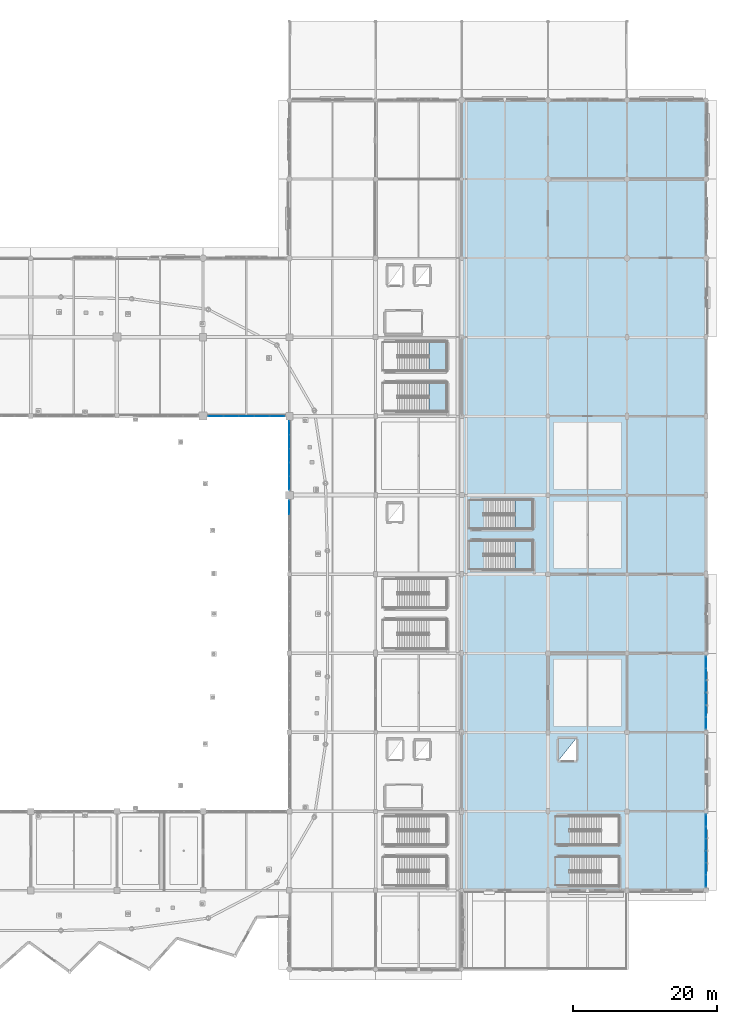
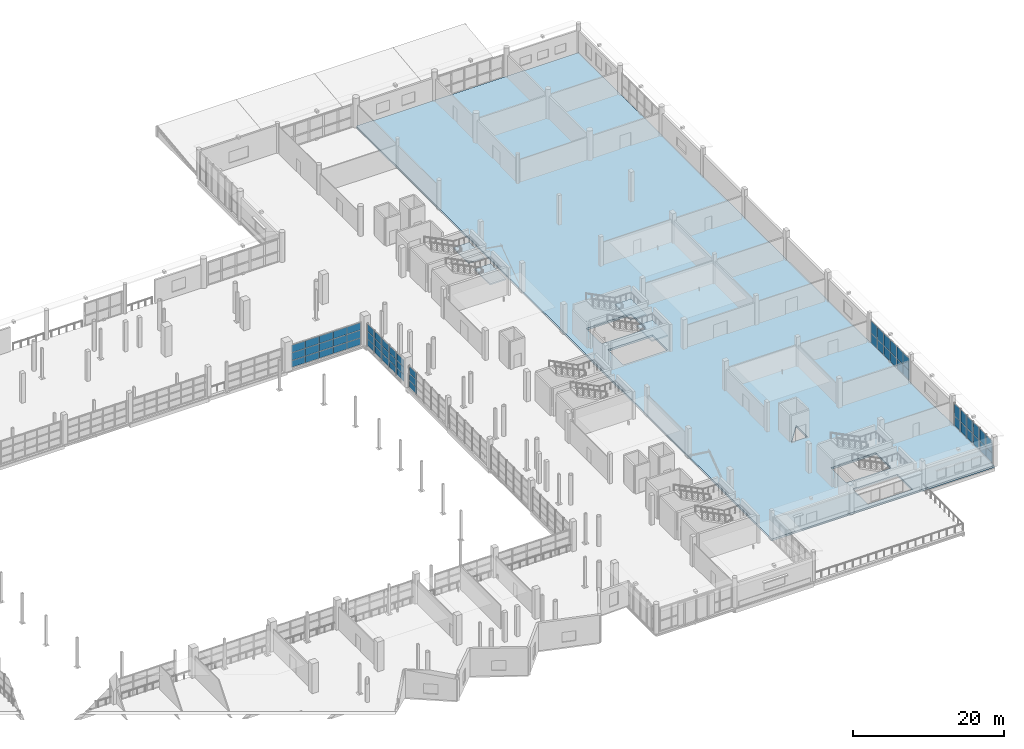
# One storey, part 82 of 143: 57 plates, 5 slabs, 9 elements without a shape of their own.
"""IFC4 building model written with IfcOpenShell, lengths in metres."""

from ifc_helpers import new_model, si_unit, direction, frame, origin, origin_2d, place, context, subcontext, project, spatial, polyline, rectangle, outline, extrude, material, layer, layer_set, type_object, element, aggregate, save


model = new_model("IFC4")

# Units and contexts
model_context = context("Model", 3, precision=1e-05, world=origin(), true_north=direction((0.0, 1.0)))
body_context = subcontext(model_context, "Body", "Model", "MODEL_VIEW")
ifc_project = project(units=[si_unit("LENGTHUNIT", "METRE"), si_unit("AREAUNIT", "SQUARE_METRE"), si_unit("VOLUMEUNIT", "CUBIC_METRE"), si_unit("PLANEANGLEUNIT", "RADIAN"), si_unit("MASSUNIT", "GRAM", prefix="KILO")], contexts=[model_context])

# Site, building, storey
site_placement = place(None, origin())
site = spatial("IfcSite", under=ifc_project, at=site_placement, CompositionType="ELEMENT")
building_placement = place(site_placement, origin())
building = spatial("IfcBuilding", under=site, at=building_placement, Name="Luwafu Chhajja Arena", CompositionType="ELEMENT")
storey_placement = place(building_placement, frame((0.0, 0.0, 5.39990234375)))
storey = spatial("IfcBuildingStorey", under=building, at=storey_placement, Name="L01", CompositionType="ELEMENT", Elevation=5.39990234375)

# Curtain wall, plates
ifc_material_1 = material(Name="Anodised bronze aluminium", Category="aluminium")
curtain_wall_type_1 = type_object("IfcCurtainWallType", Name="VIP Club Terrace Curtain Wall", PredefinedType="USERDEFINED", material=ifc_material_1)
curtain_wall_1_placement = place(storey_placement, origin())
curtain_wall_1 = element("IfcCurtainWall", 1, at=curtain_wall_1_placement, inside=storey, type_object=curtain_wall_type_1, Name="L01 Curtain Wall CWG-L01-V17_03", ObjectType="CURTAIN WALL", PredefinedType="USERDEFINED")
ifc_material_2 = material(Name="Solar-control laminated glass", Category="glass")
ifc_layer_1 = layer(ifc_material_2, 0.035888671875, Name="Solar-control laminated glass")
ifc_layer_set_1 = layer_set([ifc_layer_1], Name="Solar-control laminated glass")
plate_type_1 = type_object("IfcPlateType", Name="Acoustic Broadcast Double Glazed CW Panel 36", PredefinedType="CURTAIN_PANEL", material=ifc_layer_set_1)
plate_1_placement = place(storey_placement, frame((198.0, 34.28076171875, 0.09521484375), z_axis=(0.0, 0.0, 1.0), x_axis=(0.0, 1.0, 0.0)))
plate_1 = element("IfcPlate", 2, at=plate_1_placement, type_object=plate_type_1, Name="CW-10 panel 1.1", PredefinedType="CURTAIN_PANEL", context=body_context, shape_type="SweptSolid", body=[
    extrude(rectangle(XDim=1.6015625, YDim=0.035888671875, at=origin_2d()), origin(), (0.0, 0.0, 1.0), 1.539794921875),
])
plate_2_placement = place(storey_placement, frame((198.0, 34.28076171875, 1.69970703125), z_axis=(0.0, 0.0, 1.0), x_axis=(0.0, 1.0, 0.0)))
plate_2 = element("IfcPlate", 3, at=plate_2_placement, type_object=plate_type_1, Name="CW-10 panel 1.2", PredefinedType="CURTAIN_PANEL", context=body_context, shape_type="SweptSolid", body=[
    extrude(rectangle(XDim=1.6015625, YDim=0.035888671875, at=origin_2d()), origin(), (0.0, 0.0, 1.0), 1.940185546875),
])
plate_3_placement = place(storey_placement, frame((198.0, 35.9638671875, 0.09521484375), z_axis=(0.0, 0.0, 1.0), x_axis=(0.0, 1.0, 0.0)))
plate_3 = element("IfcPlate", 4, at=plate_3_placement, type_object=plate_type_1, Name="CW-10 panel 2.1", PredefinedType="CURTAIN_PANEL", context=body_context, shape_type="SweptSolid", body=[
    extrude(rectangle(XDim=1.63427734375, YDim=0.035888671875, at=origin_2d()), origin(), (0.0, 0.0, 1.0), 1.539794921875),
])
plate_4_placement = place(storey_placement, frame((198.0, 35.9638671875, 1.69970703125), z_axis=(0.0, 0.0, 1.0), x_axis=(0.0, 1.0, 0.0)))
plate_4 = element("IfcPlate", 5, at=plate_4_placement, type_object=plate_type_1, Name="CW-10 panel 2.2", PredefinedType="CURTAIN_PANEL", context=body_context, shape_type="SweptSolid", body=[
    extrude(rectangle(XDim=1.63427734375, YDim=0.035888671875, at=origin_2d()), origin(), (0.0, 0.0, 1.0), 1.940185546875),
])
plate_5_placement = place(storey_placement, frame((198.0, 37.662841796875, 0.09521484375), z_axis=(0.0, 0.0, 1.0), x_axis=(0.0, 1.0, 0.0)))
plate_5 = element("IfcPlate", 6, at=plate_5_placement, type_object=plate_type_1, Name="CW-10 panel 3.1", PredefinedType="CURTAIN_PANEL", context=body_context, shape_type="SweptSolid", body=[
    extrude(rectangle(XDim=1.63427734375, YDim=0.035888671875, at=origin_2d()), origin(), (0.0, 0.0, 1.0), 1.539794921875),
])
plate_6_placement = place(storey_placement, frame((198.0, 37.662841796875, 1.69970703125), z_axis=(0.0, 0.0, 1.0), x_axis=(0.0, 1.0, 0.0)))
plate_6 = element("IfcPlate", 7, at=plate_6_placement, type_object=plate_type_1, Name="CW-10 panel 3.2", PredefinedType="CURTAIN_PANEL", context=body_context, shape_type="SweptSolid", body=[
    extrude(rectangle(XDim=1.63427734375, YDim=0.035888671875, at=origin_2d()), origin(), (0.0, 0.0, 1.0), 1.940185546875),
])
plate_7_placement = place(storey_placement, frame((198.0, 39.362060546875, 0.09521484375), z_axis=(0.0, 0.0, 1.0), x_axis=(0.0, 1.0, 0.0)))
plate_7 = element("IfcPlate", 8, at=plate_7_placement, type_object=plate_type_1, Name="CW-10 panel 4.1", PredefinedType="CURTAIN_PANEL", context=body_context, shape_type="SweptSolid", body=[
    extrude(rectangle(XDim=1.63427734375, YDim=0.035888671875, at=origin_2d()), origin(), (0.0, 0.0, 1.0), 1.539794921875),
])
plate_8_placement = place(storey_placement, frame((198.0, 39.362060546875, 1.69970703125), z_axis=(0.0, 0.0, 1.0), x_axis=(0.0, 1.0, 0.0)))
plate_8 = element("IfcPlate", 9, at=plate_8_placement, type_object=plate_type_1, Name="CW-10 panel 4.2", PredefinedType="CURTAIN_PANEL", context=body_context, shape_type="SweptSolid", body=[
    extrude(rectangle(XDim=1.63427734375, YDim=0.035888671875, at=origin_2d()), origin(), (0.0, 0.0, 1.0), 1.940185546875),
])
plate_9_placement = place(storey_placement, frame((198.0, 41.061279296875, 0.09521484375), z_axis=(0.0, 0.0, 1.0), x_axis=(0.0, 1.0, 0.0)))
plate_9 = element("IfcPlate", 10, at=plate_9_placement, type_object=plate_type_1, Name="CW-10 panel 5.1", PredefinedType="CURTAIN_PANEL", context=body_context, shape_type="SweptSolid", body=[
    extrude(rectangle(XDim=1.63427734375, YDim=0.035888671875, at=origin_2d()), origin(), (0.0, 0.0, 1.0), 1.539794921875),
])
plate_10_placement = place(storey_placement, frame((198.0, 41.061279296875, 1.69970703125), z_axis=(0.0, 0.0, 1.0), x_axis=(0.0, 1.0, 0.0)))
plate_10 = element("IfcPlate", 11, at=plate_10_placement, type_object=plate_type_1, Name="CW-10 panel 5.2", PredefinedType="CURTAIN_PANEL", context=body_context, shape_type="SweptSolid", body=[
    extrude(rectangle(XDim=1.63427734375, YDim=0.035888671875, at=origin_2d()), origin(), (0.0, 0.0, 1.0), 1.940185546875),
])
plate_11_placement = place(storey_placement, frame((198.0, 42.744140625, 0.09521484375), z_axis=(0.0, 0.0, 1.0), x_axis=(0.0, 1.0, 0.0)))
plate_11 = element("IfcPlate", 12, at=plate_11_placement, type_object=plate_type_1, Name="CW-10 panel 6.1", PredefinedType="CURTAIN_PANEL", context=body_context, shape_type="SweptSolid", body=[
    extrude(rectangle(XDim=1.6015625, YDim=0.035888671875, at=origin_2d()), origin(), (0.0, 0.0, 1.0), 1.539794921875),
])
plate_12_placement = place(storey_placement, frame((198.0, 42.744140625, 1.69970703125), z_axis=(0.0, 0.0, 1.0), x_axis=(0.0, 1.0, 0.0)))
plate_12 = element("IfcPlate", 13, at=plate_12_placement, type_object=plate_type_1, Name="CW-10 panel 6.2", PredefinedType="CURTAIN_PANEL", context=body_context, shape_type="SweptSolid", body=[
    extrude(rectangle(XDim=1.6015625, YDim=0.035888671875, at=origin_2d()), origin(), (0.0, 0.0, 1.0), 1.940185546875),
])
aggregate(curtain_wall_1, [plate_1, plate_2, plate_3, plate_4, plate_5, plate_6, plate_7, plate_8, plate_9, plate_10, plate_11, plate_12])

# Slab
ifc_material_3 = material(Name="Concrete C35/45", Category="concrete")
ifc_layer_2 = layer(ifc_material_3, 0.320068359375, Name="Concrete C35/45")
ifc_layer_set_2 = layer_set([ifc_layer_2], Name="Concrete C35/45")
slab_type_1 = type_object("IfcSlabType", Name="Club Concourse Slab 320", PredefinedType="FLOOR", material=ifc_layer_set_2)
slab_1_placement = place(storey_placement, frame((0.0, 0.0, -0.31982421875)))
element("IfcSlab", 14, at=slab_1_placement, inside=storey, type_object=slab_type_1, Name="L01 Structural Floor Slab 2", PredefinedType="FLOOR", context=body_context, shape_type="SweptSolid", body=[
    extrude(outline(polyline([(198.0, 121.0), (198.0, 11.0), (164.050048828125, 11.0), (164.050048828125, 121.0), (198.0, 121.0)]), holes=[polyline([(185.89990234375, 21.35009765625), (179.044921875, 21.35009765625), (179.044921875, 17.35009765625), (185.89990234375, 17.35009765625), (185.89990234375, 21.35009765625)]), polyline([(179.044921875, 15.64990234375), (179.044921875, 11.64990234375), (185.89990234375, 11.64990234375), (185.89990234375, 15.64990234375), (179.044921875, 15.64990234375)]), polyline([(179.919921875, 32.1201171875), (177.47998046875, 29.080078125), (179.919921875, 29.080078125), (179.919921875, 32.1201171875)]), polyline([(173.89990234375, 65.35009765625), (167.06494140625, 65.35009765625), (167.06494140625, 61.31005859375), (173.89990234375, 61.31005859375), (173.89990234375, 65.35009765625)]), polyline([(167.06494140625, 59.68994140625), (167.06494140625, 55.64990234375), (173.89990234375, 55.64990234375), (173.89990234375, 59.68994140625), (167.06494140625, 59.68994140625)])]), origin(), (0.0, 0.0, 1.0), 0.31982421875),
])

# Stair, slab
stair_type = type_object("IfcStairType", Name="Quadrant Protected Dog-Leg Stair 1920", PredefinedType="HALF_TURN_STAIR", material=ifc_material_3)
stair_1_placement = place(storey_placement, origin())
stair_1 = element("IfcStair", 15, at=stair_1_placement, inside=storey, type_object=stair_type, Name="L01 Protected Escape Stair ST-07", PredefinedType="HALF_TURN_STAIR")
ifc_layer_3 = layer(ifc_material_3, 0.199951171875, Name="Concrete C35/45")
ifc_layer_set_3 = layer_set([ifc_layer_3], Name="Concrete C35/45")
slab_type_2 = type_object("IfcSlabType", Name="Escape Stair Landing Slab 200", PredefinedType="LANDING", material=ifc_layer_set_3)
slab_2_placement = place(storey_placement, frame((0.0, 0.0, 2.2001953125)))
slab_2 = element("IfcSlab", 16, at=slab_2_placement, type_object=slab_type_2, Name="ST-07 landing 1", PredefinedType="LANDING", context=body_context, shape_type="SweptSolid", body=[
    extrude(outline(polyline([(159.43994140625, 77.64990234375), (161.89990234375, 77.64990234375), (161.89990234375, 81.68994140625), (159.43994140625, 81.68994140625), (159.43994140625, 77.64990234375)])), origin(), (0.0, 0.0, 1.0), 0.199951171875),
])
aggregate(stair_1, [slab_2])

stair_2_placement = place(storey_placement, origin())
stair_2 = element("IfcStair", 17, at=stair_2_placement, inside=storey, type_object=stair_type, Name="L01 Protected Escape Stair ST-08", PredefinedType="HALF_TURN_STAIR")
slab_3_placement = place(storey_placement, frame((0.0, 0.0, 2.2001953125)))
slab_3 = element("IfcSlab", 18, at=slab_3_placement, type_object=slab_type_2, Name="ST-08 landing 1", PredefinedType="LANDING", context=body_context, shape_type="SweptSolid", body=[
    extrude(outline(polyline([(159.43994140625, 83.31005859375), (161.89990234375, 83.31005859375), (161.89990234375, 87.35009765625), (159.43994140625, 87.35009765625), (159.43994140625, 83.31005859375)])), origin(), (0.0, 0.0, 1.0), 0.199951171875),
])
aggregate(stair_2, [slab_3])

stair_3_placement = place(storey_placement, origin())
stair_3 = element("IfcStair", 19, at=stair_3_placement, inside=storey, type_object=stair_type, Name="L01 Protected Escape Stair ST-19", PredefinedType="HALF_TURN_STAIR")
slab_4_placement = place(storey_placement, frame((0.0, 0.0, 2.2001953125)))
slab_4 = element("IfcSlab", 20, at=slab_4_placement, type_object=slab_type_2, Name="ST-19 landing 1", PredefinedType="LANDING", context=body_context, shape_type="SweptSolid", body=[
    extrude(outline(polyline([(171.43994140625, 55.64990234375), (173.89990234375, 55.64990234375), (173.89990234375, 59.68994140625), (171.43994140625, 59.68994140625), (171.43994140625, 55.64990234375)])), origin(), (0.0, 0.0, 1.0), 0.199951171875),
])
aggregate(stair_3, [slab_4])

stair_4_placement = place(storey_placement, origin())
stair_4 = element("IfcStair", 21, at=stair_4_placement, inside=storey, type_object=stair_type, Name="L01 Protected Escape Stair ST-20", PredefinedType="HALF_TURN_STAIR")
slab_5_placement = place(storey_placement, frame((0.0, 0.0, 2.2001953125)))
slab_5 = element("IfcSlab", 22, at=slab_5_placement, type_object=slab_type_2, Name="ST-20 landing 1", PredefinedType="LANDING", context=body_context, shape_type="SweptSolid", body=[
    extrude(outline(polyline([(171.43994140625, 61.31005859375), (173.89990234375, 61.31005859375), (173.89990234375, 65.35009765625), (171.43994140625, 65.35009765625), (171.43994140625, 61.31005859375)])), origin(), (0.0, 0.0, 1.0), 0.199951171875),
])
aggregate(stair_4, [slab_5])

# Curtain wall, plates
curtain_wall_type_2 = type_object("IfcCurtainWallType", Name="Charbagh Cloister Curtain Wall", PredefinedType="USERDEFINED", material=ifc_material_1)
curtain_wall_2_placement = place(storey_placement, origin())
curtain_wall_2 = element("IfcCurtainWall", 23, at=curtain_wall_2_placement, inside=storey, type_object=curtain_wall_type_2, Name="L01 Curtain Wall CWG-L01-V17_01", ObjectType="CURTAIN WALL", PredefinedType="USERDEFINED")
ifc_layer_4 = layer(ifc_material_2, 0.028076171875, Name="Solar-control laminated glass")
ifc_layer_set_4 = layer_set([ifc_layer_4], Name="Solar-control laminated glass")
plate_type_2 = type_object("IfcPlateType", Name="Solar Control Double Glazed CW Panel 28", PredefinedType="CURTAIN_PANEL", material=ifc_layer_set_4)
plate_13_placement = place(storey_placement, frame((198.0, 12.3212890625, 0.090087890625), z_axis=(0.0, 0.0, 1.0), x_axis=(0.0, 1.0, 0.0)))
plate_13 = element("IfcPlate", 24, at=plate_13_placement, type_object=plate_type_2, Name="CW-06 panel 1.1", PredefinedType="CURTAIN_PANEL", context=body_context, shape_type="SweptSolid", body=[
    extrude(rectangle(XDim=1.592529296875, YDim=0.028076171875, at=origin_2d()), origin(), (0.0, 0.0, 1.0), 1.54736328125),
])
plate_14_placement = place(storey_placement, frame((198.0, 12.3212890625, 1.697265625), z_axis=(0.0, 0.0, 1.0), x_axis=(0.0, 1.0, 0.0)))
plate_14 = element("IfcPlate", 25, at=plate_14_placement, type_object=plate_type_2, Name="CW-06 panel 1.2", PredefinedType="CURTAIN_PANEL", context=body_context, shape_type="SweptSolid", body=[
    extrude(rectangle(XDim=1.592529296875, YDim=0.028076171875, at=origin_2d()), origin(), (0.0, 0.0, 1.0), 1.94775390625),
])
plate_15_placement = place(storey_placement, frame((198.0, 13.98876953125, 0.090087890625), z_axis=(0.0, 0.0, 1.0), x_axis=(0.0, 1.0, 0.0)))
plate_15 = element("IfcPlate", 26, at=plate_15_placement, type_object=plate_type_2, Name="CW-06 panel 2.1", PredefinedType="CURTAIN_PANEL", context=body_context, shape_type="SweptSolid", body=[
    extrude(rectangle(XDim=1.62255859375, YDim=0.028076171875, at=origin_2d()), origin(), (0.0, 0.0, 1.0), 1.54736328125),
])
plate_16_placement = place(storey_placement, frame((198.0, 13.98876953125, 1.697265625), z_axis=(0.0, 0.0, 1.0), x_axis=(0.0, 1.0, 0.0)))
plate_16 = element("IfcPlate", 27, at=plate_16_placement, type_object=plate_type_2, Name="CW-06 panel 2.2", PredefinedType="CURTAIN_PANEL", context=body_context, shape_type="SweptSolid", body=[
    extrude(rectangle(XDim=1.62255859375, YDim=0.028076171875, at=origin_2d()), origin(), (0.0, 0.0, 1.0), 1.94775390625),
])
plate_17_placement = place(storey_placement, frame((198.0, 15.671142578125, 0.090087890625), z_axis=(0.0, 0.0, 1.0), x_axis=(0.0, 1.0, 0.0)))
plate_17 = element("IfcPlate", 28, at=plate_17_placement, type_object=plate_type_2, Name="CW-06 panel 3.1", PredefinedType="CURTAIN_PANEL", context=body_context, shape_type="SweptSolid", body=[
    extrude(rectangle(XDim=1.62255859375, YDim=0.028076171875, at=origin_2d()), origin(), (0.0, 0.0, 1.0), 1.54736328125),
])
plate_18_placement = place(storey_placement, frame((198.0, 15.671142578125, 1.697265625), z_axis=(0.0, 0.0, 1.0), x_axis=(0.0, 1.0, 0.0)))
plate_18 = element("IfcPlate", 29, at=plate_18_placement, type_object=plate_type_2, Name="CW-06 panel 3.2", PredefinedType="CURTAIN_PANEL", context=body_context, shape_type="SweptSolid", body=[
    extrude(rectangle(XDim=1.62255859375, YDim=0.028076171875, at=origin_2d()), origin(), (0.0, 0.0, 1.0), 1.94775390625),
])
plate_19_placement = place(storey_placement, frame((198.0, 17.353759765625, 0.090087890625), z_axis=(0.0, 0.0, 1.0), x_axis=(0.0, 1.0, 0.0)))
plate_19 = element("IfcPlate", 30, at=plate_19_placement, type_object=plate_type_2, Name="CW-06 panel 4.1", PredefinedType="CURTAIN_PANEL", context=body_context, shape_type="SweptSolid", body=[
    extrude(rectangle(XDim=1.62255859375, YDim=0.028076171875, at=origin_2d()), origin(), (0.0, 0.0, 1.0), 1.54736328125),
])
plate_20_placement = place(storey_placement, frame((198.0, 17.353759765625, 1.697265625), z_axis=(0.0, 0.0, 1.0), x_axis=(0.0, 1.0, 0.0)))
plate_20 = element("IfcPlate", 31, at=plate_20_placement, type_object=plate_type_2, Name="CW-06 panel 4.2", PredefinedType="CURTAIN_PANEL", context=body_context, shape_type="SweptSolid", body=[
    extrude(rectangle(XDim=1.62255859375, YDim=0.028076171875, at=origin_2d()), origin(), (0.0, 0.0, 1.0), 1.94775390625),
])
plate_21_placement = place(storey_placement, frame((198.0, 19.0361328125, 0.090087890625), z_axis=(0.0, 0.0, 1.0), x_axis=(0.0, 1.0, 0.0)))
plate_21 = element("IfcPlate", 32, at=plate_21_placement, type_object=plate_type_2, Name="CW-06 panel 5.1", PredefinedType="CURTAIN_PANEL", context=body_context, shape_type="SweptSolid", body=[
    extrude(rectangle(XDim=1.62255859375, YDim=0.028076171875, at=origin_2d()), origin(), (0.0, 0.0, 1.0), 1.54736328125),
])
plate_22_placement = place(storey_placement, frame((198.0, 19.0361328125, 1.697265625), z_axis=(0.0, 0.0, 1.0), x_axis=(0.0, 1.0, 0.0)))
plate_22 = element("IfcPlate", 33, at=plate_22_placement, type_object=plate_type_2, Name="CW-06 panel 5.2", PredefinedType="CURTAIN_PANEL", context=body_context, shape_type="SweptSolid", body=[
    extrude(rectangle(XDim=1.62255859375, YDim=0.028076171875, at=origin_2d()), origin(), (0.0, 0.0, 1.0), 1.94775390625),
])
plate_23_placement = place(storey_placement, frame((198.0, 20.703857421875, 0.090087890625), z_axis=(0.0, 0.0, 1.0), x_axis=(0.0, 1.0, 0.0)))
plate_23 = element("IfcPlate", 34, at=plate_23_placement, type_object=plate_type_2, Name="CW-06 panel 6.1", PredefinedType="CURTAIN_PANEL", context=body_context, shape_type="SweptSolid", body=[
    extrude(rectangle(XDim=1.592529296875, YDim=0.028076171875, at=origin_2d()), origin(), (0.0, 0.0, 1.0), 1.54736328125),
])
plate_24_placement = place(storey_placement, frame((198.0, 20.703857421875, 1.697265625), z_axis=(0.0, 0.0, 1.0), x_axis=(0.0, 1.0, 0.0)))
plate_24 = element("IfcPlate", 35, at=plate_24_placement, type_object=plate_type_2, Name="CW-06 panel 6.2", PredefinedType="CURTAIN_PANEL", context=body_context, shape_type="SweptSolid", body=[
    extrude(rectangle(XDim=1.592529296875, YDim=0.028076171875, at=origin_2d()), origin(), (0.0, 0.0, 1.0), 1.94775390625),
])
aggregate(curtain_wall_2, [plate_13, plate_14, plate_15, plate_16, plate_17, plate_18, plate_19, plate_20, plate_21, plate_22, plate_23, plate_24])

curtain_wall_type_3 = type_object("IfcCurtainWallType", Name="Bowl Concourse Chord Curtain Wall", PredefinedType="USERDEFINED", material=ifc_material_1)
curtain_wall_3_placement = place(storey_placement, origin())
curtain_wall_3 = element("IfcCurtainWall", 36, at=curtain_wall_3_placement, inside=storey, type_object=curtain_wall_type_3, Name="L01 Bowl Viewing Curtain Wall CWR-L01-14", ObjectType="CURTAIN WALL", PredefinedType="USERDEFINED")
plate_25_placement = place(storey_placement, frame((129.77197265625, 77.0, 0.06005859375), z_axis=(0.0, 0.0, 1.0), x_axis=(1.0, 0.0, 0.0)))
plate_25 = element("IfcPlate", 37, at=plate_25_placement, type_object=plate_type_2, Name="CW-01 panel 1.1", PredefinedType="CURTAIN_PANEL", context=body_context, shape_type="SweptSolid", body=[
    extrude(rectangle(XDim=2.0439453125, YDim=0.028076171875, at=origin_2d()), origin(), (0.0, 0.0, 1.0), 1.06005859375),
])
plate_26_placement = place(storey_placement, frame((129.77197265625, 77.0, 1.18017578125), z_axis=(0.0, 0.0, 1.0), x_axis=(1.0, 0.0, 0.0)))
plate_26 = element("IfcPlate", 38, at=plate_26_placement, type_object=plate_type_2, Name="CW-01 panel 1.2", PredefinedType="CURTAIN_PANEL", context=body_context, shape_type="SweptSolid", body=[
    extrude(rectangle(XDim=2.0439453125, YDim=0.028076171875, at=origin_2d()), origin(), (0.0, 0.0, 1.0), 1.2099609375),
])
plate_27_placement = place(storey_placement, frame((129.77197265625, 77.0, 2.4501953125), z_axis=(0.0, 0.0, 1.0), x_axis=(1.0, 0.0, 0.0)))
plate_27 = element("IfcPlate", 39, at=plate_27_placement, type_object=plate_type_2, Name="CW-01 panel 1.3", PredefinedType="CURTAIN_PANEL", context=body_context, shape_type="SweptSolid", body=[
    extrude(rectangle(XDim=2.0439453125, YDim=0.028076171875, at=origin_2d()), origin(), (0.0, 0.0, 1.0), 1.179931640625),
])
plate_28_placement = place(storey_placement, frame((131.89111328125, 77.0, 0.06005859375), z_axis=(0.0, 0.0, 1.0), x_axis=(1.0, 0.0, 0.0)))
plate_28 = element("IfcPlate", 40, at=plate_28_placement, type_object=plate_type_2, Name="CW-01 panel 2.1", PredefinedType="CURTAIN_PANEL", context=body_context, shape_type="SweptSolid", body=[
    extrude(rectangle(XDim=2.073974609375, YDim=0.028076171875, at=origin_2d()), origin(), (0.0, 0.0, 1.0), 1.06005859375),
])
plate_29_placement = place(storey_placement, frame((131.89111328125, 77.0, 1.18017578125), z_axis=(0.0, 0.0, 1.0), x_axis=(1.0, 0.0, 0.0)))
plate_29 = element("IfcPlate", 41, at=plate_29_placement, type_object=plate_type_2, Name="CW-01 panel 2.2", PredefinedType="CURTAIN_PANEL", context=body_context, shape_type="SweptSolid", body=[
    extrude(rectangle(XDim=2.073974609375, YDim=0.028076171875, at=origin_2d()), origin(), (0.0, 0.0, 1.0), 1.2099609375),
])
plate_30_placement = place(storey_placement, frame((131.89111328125, 77.0, 2.4501953125), z_axis=(0.0, 0.0, 1.0), x_axis=(1.0, 0.0, 0.0)))
plate_30 = element("IfcPlate", 42, at=plate_30_placement, type_object=plate_type_2, Name="CW-01 panel 2.3", PredefinedType="CURTAIN_PANEL", context=body_context, shape_type="SweptSolid", body=[
    extrude(rectangle(XDim=2.073974609375, YDim=0.028076171875, at=origin_2d()), origin(), (0.0, 0.0, 1.0), 1.179931640625),
])
plate_31_placement = place(storey_placement, frame((134.02490234375, 77.0, 0.06005859375), z_axis=(0.0, 0.0, 1.0), x_axis=(1.0, 0.0, 0.0)))
plate_31 = element("IfcPlate", 43, at=plate_31_placement, type_object=plate_type_2, Name="CW-01 panel 3.1", PredefinedType="CURTAIN_PANEL", context=body_context, shape_type="SweptSolid", body=[
    extrude(rectangle(XDim=2.073974609375, YDim=0.028076171875, at=origin_2d()), origin(), (0.0, 0.0, 1.0), 1.06005859375),
])
plate_32_placement = place(storey_placement, frame((134.02490234375, 77.0, 1.18017578125), z_axis=(0.0, 0.0, 1.0), x_axis=(1.0, 0.0, 0.0)))
plate_32 = element("IfcPlate", 44, at=plate_32_placement, type_object=plate_type_2, Name="CW-01 panel 3.2", PredefinedType="CURTAIN_PANEL", context=body_context, shape_type="SweptSolid", body=[
    extrude(rectangle(XDim=2.073974609375, YDim=0.028076171875, at=origin_2d()), origin(), (0.0, 0.0, 1.0), 1.2099609375),
])
plate_33_placement = place(storey_placement, frame((134.02490234375, 77.0, 2.4501953125), z_axis=(0.0, 0.0, 1.0), x_axis=(1.0, 0.0, 0.0)))
plate_33 = element("IfcPlate", 45, at=plate_33_placement, type_object=plate_type_2, Name="CW-01 panel 3.3", PredefinedType="CURTAIN_PANEL", context=body_context, shape_type="SweptSolid", body=[
    extrude(rectangle(XDim=2.073974609375, YDim=0.028076171875, at=origin_2d()), origin(), (0.0, 0.0, 1.0), 1.179931640625),
])
plate_34_placement = place(storey_placement, frame((136.158935546875, 77.0, 0.06005859375), z_axis=(0.0, 0.0, 1.0), x_axis=(1.0, 0.0, 0.0)))
plate_34 = element("IfcPlate", 46, at=plate_34_placement, type_object=plate_type_2, Name="CW-01 panel 4.1", PredefinedType="CURTAIN_PANEL", context=body_context, shape_type="SweptSolid", body=[
    extrude(rectangle(XDim=2.073974609375, YDim=0.028076171875, at=origin_2d()), origin(), (0.0, 0.0, 1.0), 1.06005859375),
])
plate_35_placement = place(storey_placement, frame((136.158935546875, 77.0, 1.18017578125), z_axis=(0.0, 0.0, 1.0), x_axis=(1.0, 0.0, 0.0)))
plate_35 = element("IfcPlate", 47, at=plate_35_placement, type_object=plate_type_2, Name="CW-01 panel 4.2", PredefinedType="CURTAIN_PANEL", context=body_context, shape_type="SweptSolid", body=[
    extrude(rectangle(XDim=2.073974609375, YDim=0.028076171875, at=origin_2d()), origin(), (0.0, 0.0, 1.0), 1.2099609375),
])
plate_36_placement = place(storey_placement, frame((136.158935546875, 77.0, 2.4501953125), z_axis=(0.0, 0.0, 1.0), x_axis=(1.0, 0.0, 0.0)))
plate_36 = element("IfcPlate", 48, at=plate_36_placement, type_object=plate_type_2, Name="CW-01 panel 4.3", PredefinedType="CURTAIN_PANEL", context=body_context, shape_type="SweptSolid", body=[
    extrude(rectangle(XDim=2.073974609375, YDim=0.028076171875, at=origin_2d()), origin(), (0.0, 0.0, 1.0), 1.179931640625),
])
plate_37_placement = place(storey_placement, frame((138.278076171875, 77.0, 0.06005859375), z_axis=(0.0, 0.0, 1.0), x_axis=(1.0, 0.0, 0.0)))
plate_37 = element("IfcPlate", 49, at=plate_37_placement, type_object=plate_type_2, Name="CW-01 panel 5.1", PredefinedType="CURTAIN_PANEL", context=body_context, shape_type="SweptSolid", body=[
    extrude(rectangle(XDim=2.0439453125, YDim=0.028076171875, at=origin_2d()), origin(), (0.0, 0.0, 1.0), 1.06005859375),
])
plate_38_placement = place(storey_placement, frame((138.278076171875, 77.0, 1.18017578125), z_axis=(0.0, 0.0, 1.0), x_axis=(1.0, 0.0, 0.0)))
plate_38 = element("IfcPlate", 50, at=plate_38_placement, type_object=plate_type_2, Name="CW-01 panel 5.2", PredefinedType="CURTAIN_PANEL", context=body_context, shape_type="SweptSolid", body=[
    extrude(rectangle(XDim=2.0439453125, YDim=0.028076171875, at=origin_2d()), origin(), (0.0, 0.0, 1.0), 1.2099609375),
])
plate_39_placement = place(storey_placement, frame((138.278076171875, 77.0, 2.4501953125), z_axis=(0.0, 0.0, 1.0), x_axis=(1.0, 0.0, 0.0)))
plate_39 = element("IfcPlate", 51, at=plate_39_placement, type_object=plate_type_2, Name="CW-01 panel 5.3", PredefinedType="CURTAIN_PANEL", context=body_context, shape_type="SweptSolid", body=[
    extrude(rectangle(XDim=2.0439453125, YDim=0.028076171875, at=origin_2d()), origin(), (0.0, 0.0, 1.0), 1.179931640625),
])
aggregate(curtain_wall_3, [plate_25, plate_26, plate_27, plate_28, plate_29, plate_30, plate_31, plate_32, plate_33, plate_34, plate_35, plate_36, plate_37, plate_38, plate_39])

curtain_wall_4_placement = place(storey_placement, origin())
curtain_wall_4 = element("IfcCurtainWall", 52, at=curtain_wall_4_placement, inside=storey, type_object=curtain_wall_type_3, Name="L01 Bowl Viewing Curtain Wall CWR-L01-23", ObjectType="CURTAIN WALL", PredefinedType="USERDEFINED")
plate_40_placement = place(storey_placement, frame((140.0, 64.305419921875, 0.06005859375), z_axis=(0.0, 0.0, 1.0), x_axis=(0.0, 1.0, 0.0)))
plate_40 = element("IfcPlate", 53, at=plate_40_placement, type_object=plate_type_2, Name="CW-01 panel 5.1", PredefinedType="CURTAIN_PANEL", context=body_context, shape_type="SweptSolid", body=[
    extrude(rectangle(XDim=1.888916015625, YDim=0.028076171875, at=origin_2d()), origin(), (0.0, 0.0, 1.0), 1.06005859375),
])
plate_41_placement = place(storey_placement, frame((140.0, 64.305419921875, 1.18017578125), z_axis=(0.0, 0.0, 1.0), x_axis=(0.0, 1.0, 0.0)))
plate_41 = element("IfcPlate", 54, at=plate_41_placement, type_object=plate_type_2, Name="CW-01 panel 5.2", PredefinedType="CURTAIN_PANEL", context=body_context, shape_type="SweptSolid", body=[
    extrude(rectangle(XDim=1.888916015625, YDim=0.028076171875, at=origin_2d()), origin(), (0.0, 0.0, 1.0), 1.110107421875),
])
plate_42_placement = place(storey_placement, frame((140.0, 64.305419921875, 2.35009765625), z_axis=(0.0, 0.0, 1.0), x_axis=(0.0, 1.0, 0.0)))
plate_42 = element("IfcPlate", 55, at=plate_42_placement, type_object=plate_type_2, Name="CW-01 panel 5.3", PredefinedType="CURTAIN_PANEL", context=body_context, shape_type="SweptSolid", body=[
    extrude(rectangle(XDim=1.888916015625, YDim=0.028076171875, at=origin_2d()), origin(), (0.0, 0.0, 1.0), 1.080078125),
])
aggregate(curtain_wall_4, [plate_40, plate_41, plate_42])

curtain_wall_5_placement = place(storey_placement, origin())
curtain_wall_5 = element("IfcCurtainWall", 56, at=curtain_wall_5_placement, inside=storey, type_object=curtain_wall_type_3, Name="L01 Bowl Viewing Curtain Wall CWR-L01-24", ObjectType="CURTAIN WALL", PredefinedType="USERDEFINED")
plate_43_placement = place(storey_placement, frame((140.0, 67.672119140625, 0.06005859375), z_axis=(0.0, 0.0, 1.0), x_axis=(0.0, 1.0, 0.0)))
plate_43 = element("IfcPlate", 57, at=plate_43_placement, type_object=plate_type_2, Name="CW-01 panel 1.1", PredefinedType="CURTAIN_PANEL", context=body_context, shape_type="SweptSolid", body=[
    extrude(rectangle(XDim=1.843994140625, YDim=0.028076171875, at=origin_2d()), origin(), (0.0, 0.0, 1.0), 1.06005859375),
])
plate_44_placement = place(storey_placement, frame((140.0, 67.672119140625, 1.18017578125), z_axis=(0.0, 0.0, 1.0), x_axis=(0.0, 1.0, 0.0)))
plate_44 = element("IfcPlate", 58, at=plate_44_placement, type_object=plate_type_2, Name="CW-01 panel 1.2", PredefinedType="CURTAIN_PANEL", context=body_context, shape_type="SweptSolid", body=[
    extrude(rectangle(XDim=1.843994140625, YDim=0.028076171875, at=origin_2d()), origin(), (0.0, 0.0, 1.0), 1.159912109375),
])
plate_45_placement = place(storey_placement, frame((140.0, 67.672119140625, 2.400146484375), z_axis=(0.0, 0.0, 1.0), x_axis=(0.0, 1.0, 0.0)))
plate_45 = element("IfcPlate", 59, at=plate_45_placement, type_object=plate_type_2, Name="CW-01 panel 1.3", PredefinedType="CURTAIN_PANEL", context=body_context, shape_type="SweptSolid", body=[
    extrude(rectangle(XDim=1.843994140625, YDim=0.028076171875, at=origin_2d()), origin(), (0.0, 0.0, 1.0), 1.1298828125),
])
plate_46_placement = place(storey_placement, frame((140.0, 69.591064453125, 0.06005859375), z_axis=(0.0, 0.0, 1.0), x_axis=(0.0, 1.0, 0.0)))
plate_46 = element("IfcPlate", 60, at=plate_46_placement, type_object=plate_type_2, Name="CW-01 panel 2.1", PredefinedType="CURTAIN_PANEL", context=body_context, shape_type="SweptSolid", body=[
    extrude(rectangle(XDim=1.8740234375, YDim=0.028076171875, at=origin_2d()), origin(), (0.0, 0.0, 1.0), 1.06005859375),
])
plate_47_placement = place(storey_placement, frame((140.0, 69.591064453125, 1.18017578125), z_axis=(0.0, 0.0, 1.0), x_axis=(0.0, 1.0, 0.0)))
plate_47 = element("IfcPlate", 61, at=plate_47_placement, type_object=plate_type_2, Name="CW-01 panel 2.2", PredefinedType="CURTAIN_PANEL", context=body_context, shape_type="SweptSolid", body=[
    extrude(rectangle(XDim=1.8740234375, YDim=0.028076171875, at=origin_2d()), origin(), (0.0, 0.0, 1.0), 1.159912109375),
])
plate_48_placement = place(storey_placement, frame((140.0, 69.591064453125, 2.400146484375), z_axis=(0.0, 0.0, 1.0), x_axis=(0.0, 1.0, 0.0)))
plate_48 = element("IfcPlate", 62, at=plate_48_placement, type_object=plate_type_2, Name="CW-01 panel 2.3", PredefinedType="CURTAIN_PANEL", context=body_context, shape_type="SweptSolid", body=[
    extrude(rectangle(XDim=1.8740234375, YDim=0.028076171875, at=origin_2d()), origin(), (0.0, 0.0, 1.0), 1.1298828125),
])
plate_49_placement = place(storey_placement, frame((140.0, 71.52490234375, 0.06005859375), z_axis=(0.0, 0.0, 1.0), x_axis=(0.0, 1.0, 0.0)))
plate_49 = element("IfcPlate", 63, at=plate_49_placement, type_object=plate_type_2, Name="CW-01 panel 3.1", PredefinedType="CURTAIN_PANEL", context=body_context, shape_type="SweptSolid", body=[
    extrude(rectangle(XDim=1.8740234375, YDim=0.028076171875, at=origin_2d()), origin(), (0.0, 0.0, 1.0), 1.06005859375),
])
plate_50_placement = place(storey_placement, frame((140.0, 71.52490234375, 1.18017578125), z_axis=(0.0, 0.0, 1.0), x_axis=(0.0, 1.0, 0.0)))
plate_50 = element("IfcPlate", 64, at=plate_50_placement, type_object=plate_type_2, Name="CW-01 panel 3.2", PredefinedType="CURTAIN_PANEL", context=body_context, shape_type="SweptSolid", body=[
    extrude(rectangle(XDim=1.8740234375, YDim=0.028076171875, at=origin_2d()), origin(), (0.0, 0.0, 1.0), 1.159912109375),
])
plate_51_placement = place(storey_placement, frame((140.0, 71.52490234375, 2.400146484375), z_axis=(0.0, 0.0, 1.0), x_axis=(0.0, 1.0, 0.0)))
plate_51 = element("IfcPlate", 65, at=plate_51_placement, type_object=plate_type_2, Name="CW-01 panel 3.3", PredefinedType="CURTAIN_PANEL", context=body_context, shape_type="SweptSolid", body=[
    extrude(rectangle(XDim=1.8740234375, YDim=0.028076171875, at=origin_2d()), origin(), (0.0, 0.0, 1.0), 1.1298828125),
])
plate_52_placement = place(storey_placement, frame((140.0, 73.458984375, 0.06005859375), z_axis=(0.0, 0.0, 1.0), x_axis=(0.0, 1.0, 0.0)))
plate_52 = element("IfcPlate", 66, at=plate_52_placement, type_object=plate_type_2, Name="CW-01 panel 4.1", PredefinedType="CURTAIN_PANEL", context=body_context, shape_type="SweptSolid", body=[
    extrude(rectangle(XDim=1.8740234375, YDim=0.028076171875, at=origin_2d()), origin(), (0.0, 0.0, 1.0), 1.06005859375),
])
plate_53_placement = place(storey_placement, frame((140.0, 73.458984375, 1.18017578125), z_axis=(0.0, 0.0, 1.0), x_axis=(0.0, 1.0, 0.0)))
plate_53 = element("IfcPlate", 67, at=plate_53_placement, type_object=plate_type_2, Name="CW-01 panel 4.2", PredefinedType="CURTAIN_PANEL", context=body_context, shape_type="SweptSolid", body=[
    extrude(rectangle(XDim=1.8740234375, YDim=0.028076171875, at=origin_2d()), origin(), (0.0, 0.0, 1.0), 1.159912109375),
])
plate_54_placement = place(storey_placement, frame((140.0, 73.458984375, 2.400146484375), z_axis=(0.0, 0.0, 1.0), x_axis=(0.0, 1.0, 0.0)))
plate_54 = element("IfcPlate", 68, at=plate_54_placement, type_object=plate_type_2, Name="CW-01 panel 4.3", PredefinedType="CURTAIN_PANEL", context=body_context, shape_type="SweptSolid", body=[
    extrude(rectangle(XDim=1.8740234375, YDim=0.028076171875, at=origin_2d()), origin(), (0.0, 0.0, 1.0), 1.1298828125),
])
plate_55_placement = place(storey_placement, frame((140.0, 75.3779296875, 0.06005859375), z_axis=(0.0, 0.0, 1.0), x_axis=(0.0, 1.0, 0.0)))
plate_55 = element("IfcPlate", 69, at=plate_55_placement, type_object=plate_type_2, Name="CW-01 panel 5.1", PredefinedType="CURTAIN_PANEL", context=body_context, shape_type="SweptSolid", body=[
    extrude(rectangle(XDim=1.843994140625, YDim=0.028076171875, at=origin_2d()), origin(), (0.0, 0.0, 1.0), 1.06005859375),
])
plate_56_placement = place(storey_placement, frame((140.0, 75.3779296875, 1.18017578125), z_axis=(0.0, 0.0, 1.0), x_axis=(0.0, 1.0, 0.0)))
plate_56 = element("IfcPlate", 70, at=plate_56_placement, type_object=plate_type_2, Name="CW-01 panel 5.2", PredefinedType="CURTAIN_PANEL", context=body_context, shape_type="SweptSolid", body=[
    extrude(rectangle(XDim=1.843994140625, YDim=0.028076171875, at=origin_2d()), origin(), (0.0, 0.0, 1.0), 1.159912109375),
])
plate_57_placement = place(storey_placement, frame((140.0, 75.3779296875, 2.400146484375), z_axis=(0.0, 0.0, 1.0), x_axis=(0.0, 1.0, 0.0)))
plate_57 = element("IfcPlate", 71, at=plate_57_placement, type_object=plate_type_2, Name="CW-01 panel 5.3", PredefinedType="CURTAIN_PANEL", context=body_context, shape_type="SweptSolid", body=[
    extrude(rectangle(XDim=1.843994140625, YDim=0.028076171875, at=origin_2d()), origin(), (0.0, 0.0, 1.0), 1.1298828125),
])
aggregate(curtain_wall_5, [plate_43, plate_44, plate_45, plate_46, plate_47, plate_48, plate_49, plate_50, plate_51, plate_52, plate_53, plate_54, plate_55, plate_56, plate_57])

save(model, "model.ifc")
